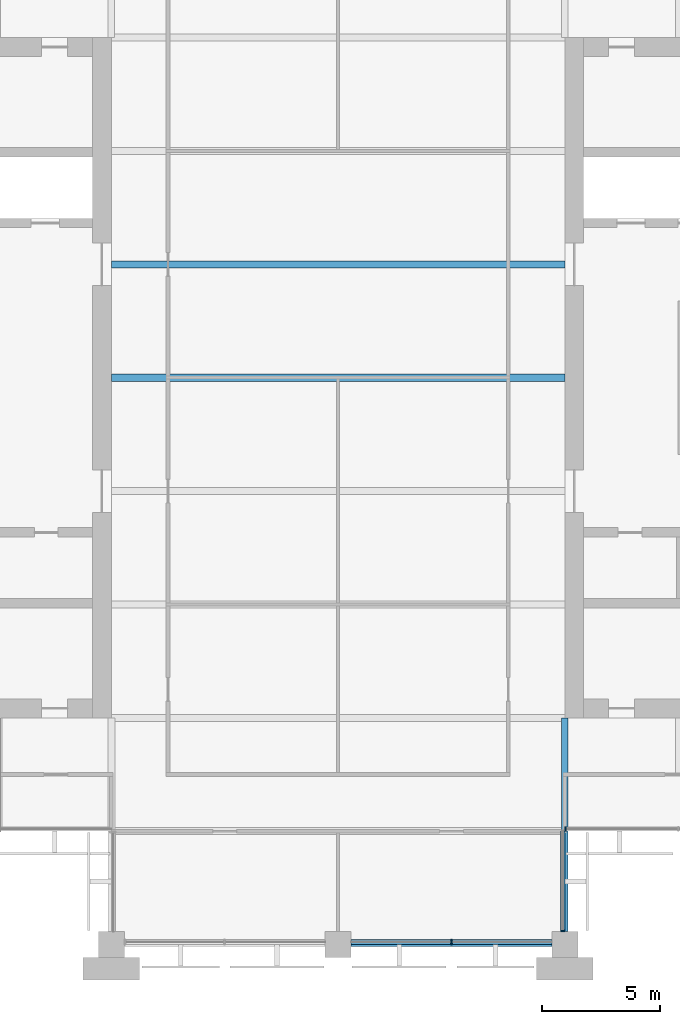
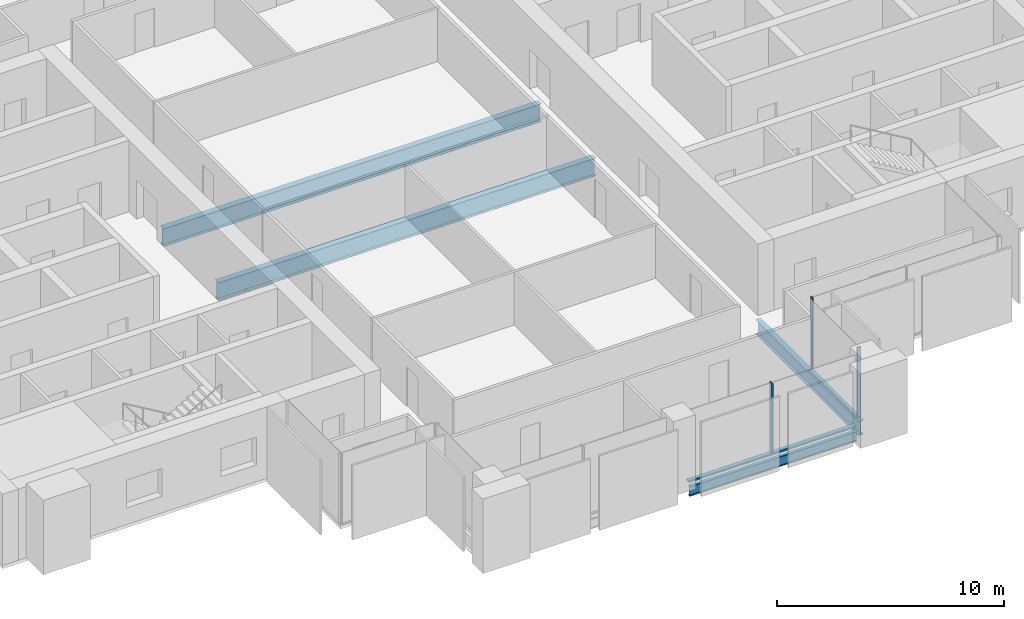
# One storey, part 3 of 13: 5 members, 4 beams, 3 elements without a shape of their own.
"""IFC4 building model written with IfcOpenShell, lengths in metres."""

from ifc_helpers import new_model, si_unit, direction, frame, origin, origin_2d, place, context, subcontext, project, spatial, rectangle, i_section, extrude, material, material_profile, profile_set, type_object, element, aggregate, save


model = new_model("IFC4")

# Units and contexts
model_context = context("Model", 3, precision=1e-05, world=origin(), true_north=direction((0.0, 1.0)))
body_context = subcontext(model_context, "Body", "Model", "MODEL_VIEW")
ifc_project = project(units=[si_unit("LENGTHUNIT", "METRE"), si_unit("AREAUNIT", "SQUARE_METRE"), si_unit("VOLUMEUNIT", "CUBIC_METRE"), si_unit("PLANEANGLEUNIT", "RADIAN"), si_unit("MASSUNIT", "GRAM", prefix="KILO")], contexts=[model_context])

# Site, building, storey
site_placement = place(None, origin())
site = spatial("IfcSite", under=ifc_project, at=site_placement, CompositionType="ELEMENT")
building_placement = place(site_placement, origin())
building = spatial("IfcBuilding", under=site, at=building_placement, Name="Baori Bourse Tower", CompositionType="ELEMENT")
storey_placement = place(building_placement, frame((0.0, 0.0, 217.199951171875)))
storey = spatial("IfcBuildingStorey", under=building, at=storey_placement, Name="L47", CompositionType="ELEMENT", Elevation=217.199951171875)

# Curtain wall, member
ifc_material_1 = material(Name="Pale anodised aluminium", Category="aluminium")
curtain_wall_type_1 = type_object("IfcCurtainWallType", Name="CW2 Curtain wall", PredefinedType="NOTDEFINED", material=ifc_material_1)
curtain_wall_1_placement = place(storey_placement, origin())
curtain_wall_1 = element("IfcCurtainWall", 1, at=curtain_wall_1_placement, inside=storey, type_object=curtain_wall_type_1, Name="Curtain wall CW2 L47 12", PredefinedType="NOTDEFINED")
ifc_material_2 = material(Name="Pale anodised aluminium", Category="aluminium")
ifc_material_profile_1 = material_profile(ifc_material_2, rectangle(XDim=0.179931640625, YDim=0.054931640625, at=origin_2d()), Name="Mullion 55x180")
ifc_profile_set_1 = profile_set([ifc_material_profile_1], Name="Pale anodised aluminium")
member_type_1 = type_object("IfcMemberType", Name="CW2 Curtain wall mullion", PredefinedType="MULLION", material=ifc_profile_set_1)
member_1_placement = place(storey_placement, frame((38.31005859375, 0.577392578125, 0.070068359375), z_axis=(0.0, 0.0, 1.0), x_axis=(-1.0, 0.0, 0.0)))
member_1 = element("IfcMember", 2, at=member_1_placement, type_object=member_type_1, Name="Curtain wall CW2 mullion", PredefinedType="MULLION", context=body_context, shape_type="SweptSolid", body=[
    extrude(rectangle(XDim=0.179931640625, YDim=0.054931640625, at=origin_2d()), origin(), (0.0, 0.0, 1.0), 3.77001953125),
])

curtain_wall_2_placement = place(storey_placement, origin())
curtain_wall_2 = element("IfcCurtainWall", 3, at=curtain_wall_2_placement, inside=storey, type_object=curtain_wall_type_1, Name="Curtain wall CW2 L47 13", PredefinedType="NOTDEFINED")
member_2_placement = place(storey_placement, frame((38.427490234375, 4.889892578125, 0.070068359375), z_axis=(0.0, 0.0, 1.0), x_axis=(0.0, 1.0, 0.0)))
member_2 = element("IfcMember", 4, at=member_2_placement, type_object=member_type_1, Name="Curtain wall CW2 mullion", PredefinedType="MULLION", context=body_context, shape_type="SweptSolid", body=[
    extrude(rectangle(XDim=0.179931640625, YDim=0.054931640625, at=origin_2d()), origin(), (0.0, 0.0, 1.0), 3.77001953125),
])
aggregate(curtain_wall_2, [member_2])

# Member
ifc_material_3 = material(Name="Pale anodised aluminium", Category="aluminium")
ifc_material_profile_2 = material_profile(ifc_material_3, rectangle(XDim=0.179931640625, YDim=0.070068359375, at=origin_2d()), Name="Transom 70x180")
ifc_profile_set_2 = profile_set([ifc_material_profile_2], Name="Pale anodised aluminium")
member_type_2 = type_object("IfcMemberType", Name="CW2 Curtain wall transom", PredefinedType="USERDEFINED", material=ifc_profile_set_2)
member_3_placement = place(storey_placement, frame((38.31005859375, 0.550048828125, 0.03515625), z_axis=(0.0, 1.0, 0.0), x_axis=(-1.0, 0.0, 0.0)))
member_3 = element("IfcMember", 5, at=member_3_placement, type_object=member_type_2, Name="Curtain wall CW2 sill rail", ObjectType="TRANSOM", PredefinedType="USERDEFINED", context=body_context, shape_type="SweptSolid", body=[
    extrude(rectangle(XDim=0.179931640625, YDim=0.070068359375, at=origin_2d()), origin(), (0.0, 0.0, 1.0), 4.25),
])

aggregate(curtain_wall_1, [member_3, member_1])

# Curtain wall, members
ifc_material_4 = material(Name="Pale anodised aluminium", Category="aluminium")
curtain_wall_type_2 = type_object("IfcCurtainWallType", Name="CW5 Curtain wall", PredefinedType="NOTDEFINED", material=ifc_material_4)
curtain_wall_3_placement = place(storey_placement, origin())
curtain_wall_3 = element("IfcCurtainWall", 6, at=curtain_wall_3_placement, inside=storey, type_object=curtain_wall_type_2, Name="Curtain wall CW5 L47 11", PredefinedType="NOTDEFINED")
ifc_material_5 = material(Name="Pale anodised aluminium", Category="aluminium")
ifc_material_profile_3 = material_profile(ifc_material_5, rectangle(XDim=0.219970703125, YDim=0.06494140625, at=origin_2d()), Name="Mullion 65x220")
ifc_profile_set_3 = profile_set([ifc_material_profile_3], Name="Pale anodised aluminium")
member_type_3 = type_object("IfcMemberType", Name="CW5 Curtain wall mullion", PredefinedType="MULLION", material=ifc_profile_set_3)
member_4_placement = place(storey_placement, frame((33.60009765625, 0.110107421875, 0.0849609375), z_axis=(0.0, 0.0, 1.0), x_axis=(0.0, 1.0, 0.0)))
member_4 = element("IfcMember", 7, at=member_4_placement, type_object=member_type_3, Name="Curtain wall CW5 mullion", PredefinedType="MULLION", context=body_context, shape_type="SweptSolid", body=[
    extrude(rectangle(XDim=0.219970703125, YDim=0.06494140625, at=origin_2d()), origin(), (0.0, 0.0, 1.0), 3.755126953125),
])
ifc_material_6 = material(Name="Pale anodised aluminium", Category="aluminium")
ifc_material_profile_4 = material_profile(ifc_material_6, rectangle(XDim=0.219970703125, YDim=0.0849609375, at=origin_2d()), Name="Transom 85x220")
ifc_profile_set_4 = profile_set([ifc_material_profile_4], Name="Pale anodised aluminium")
member_type_4 = type_object("IfcMemberType", Name="CW5 Curtain wall transom", PredefinedType="USERDEFINED", material=ifc_profile_set_4)
member_5_placement = place(storey_placement, frame((29.35009765625, 0.110107421875, 0.04248046875), z_axis=(1.0, 0.0, 0.0), x_axis=(0.0, 1.0, 0.0)))
member_5 = element("IfcMember", 8, at=member_5_placement, type_object=member_type_4, Name="Curtain wall CW5 sill rail", ObjectType="TRANSOM", PredefinedType="USERDEFINED", context=body_context, shape_type="SweptSolid", body=[
    extrude(rectangle(XDim=0.219970703125, YDim=0.0849609375, at=origin_2d()), origin(), (0.0, 0.0, 1.0), 8.5),
])
aggregate(curtain_wall_3, [member_5, member_4])

# Beams
ifc_material_7 = material(Name="Steel A992 Gr 50", Category="steel")
ifc_material_profile_5 = material_profile(ifc_material_7, i_section(OverallWidth=0.1650390625, OverallDepth=0.52587890625, WebThickness=0.0087890625, FlangeThickness=0.011474609375, at=origin_2d()), Name="W21x44")
ifc_profile_set_5 = profile_set([ifc_material_profile_5], Name="Steel A992 Gr 50")
beam_type_1 = type_object("IfcBeamType", Name="Edge beam W21x44", PredefinedType="BEAM", material=ifc_profile_set_5)
beam_1_placement = place(storey_placement, frame((29.35009765625, 0.0, -0.4228515625), z_axis=(1.0, 0.0, 0.0), x_axis=(0.0, 1.0, 0.0)))
element("IfcBeam", 9, at=beam_1_placement, inside=storey, type_object=beam_type_1, Name="Edge beam L47", PredefinedType="BEAM", context=body_context, shape_type="SweptSolid", body=[
    extrude(i_section(OverallWidth=0.1650390625, OverallDepth=0.52587890625, WebThickness=0.0087890625, FlangeThickness=0.011474609375, at=origin_2d()), origin(), (0.0, 0.0, 1.0), 8.5),
])
ifc_material_8 = material(Name="Steel A992 Gr 50", Category="steel")
ifc_material_profile_6 = material_profile(ifc_material_8, i_section(OverallWidth=0.2998046875, OverallDepth=0.97021484375, WebThickness=0.01611328125, FlangeThickness=0.02099609375, at=origin_2d()), Name="W40x149")
ifc_profile_set_6 = profile_set([ifc_material_profile_6], Name="Steel A992 Gr 50")
beam_type_2 = type_object("IfcBeamType", Name="Floor beam W40x149", PredefinedType="BEAM", material=ifc_profile_set_6)
for number, where, z_axis, x_axis, name in (
    (10, (19.199951171875, 24.0, -0.64501953125), (1.0, 0.0, 0.0), (0.0, 1.0, 0.0), "Floor beam L47"),
    (11, (19.199951171875, 28.800048828125, -0.64501953125), (1.0, 0.0, 0.0), (0.0, 1.0, 0.0), "Floor beam L47"),
):
    element("IfcBeam", number, at=place(storey_placement, frame(where, z_axis=z_axis, x_axis=x_axis)), inside=storey, type_object=beam_type_2, Name=name, PredefinedType="BEAM", context=body_context, shape_type="SweptSolid", body=[
        extrude(i_section(OverallWidth=0.2998046875, OverallDepth=0.97021484375, WebThickness=0.01611328125, FlangeThickness=0.02099609375, at=origin_2d()), origin(), (0.0, 0.0, 1.0), 19.199951171875),
    ])
ifc_material_9 = material(Name="Steel A992 Gr 50", Category="steel")
ifc_material_profile_7 = material_profile(ifc_material_9, i_section(OverallWidth=0.2666015625, OverallDepth=0.76953125, WebThickness=0.015625, FlangeThickness=0.025390625, at=origin_2d()), Name="W30x132")
ifc_profile_set_7 = profile_set([ifc_material_profile_7], Name="Steel A992 Gr 50")
beam_type_3 = type_object("IfcBeamType", Name="Girder W30x132", PredefinedType="BEAM", material=ifc_profile_set_7)
beam_2_placement = place(storey_placement, frame((38.39990234375, 0.550048828125, -0.544677734375), z_axis=(0.0, 1.0, 0.0), x_axis=(-1.0, 0.0, 0.0)))
element("IfcBeam", 12, at=beam_2_placement, inside=storey, type_object=beam_type_3, Name="Girder L47", PredefinedType="BEAM", context=body_context, shape_type="SweptSolid", body=[
    extrude(i_section(OverallWidth=0.2666015625, OverallDepth=0.76953125, WebThickness=0.015625, FlangeThickness=0.025390625, at=origin_2d()), origin(), (0.0, 0.0, 1.0), 9.050048828125),
])

save(model, "model.ifc")
